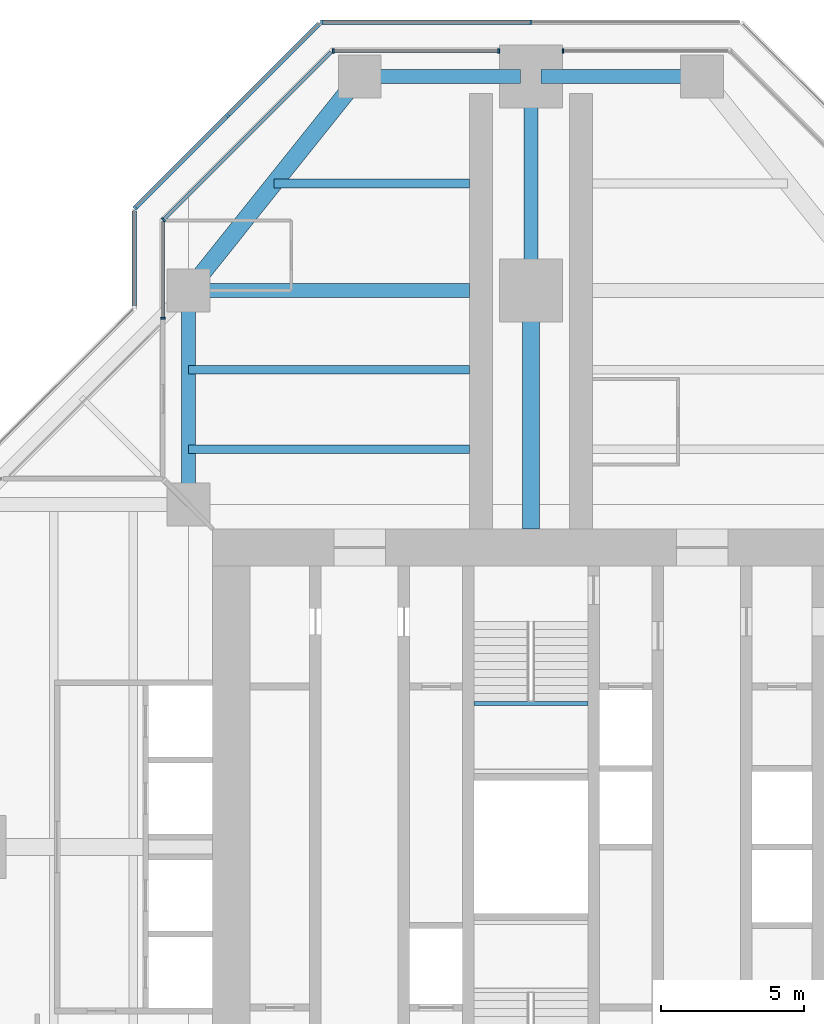
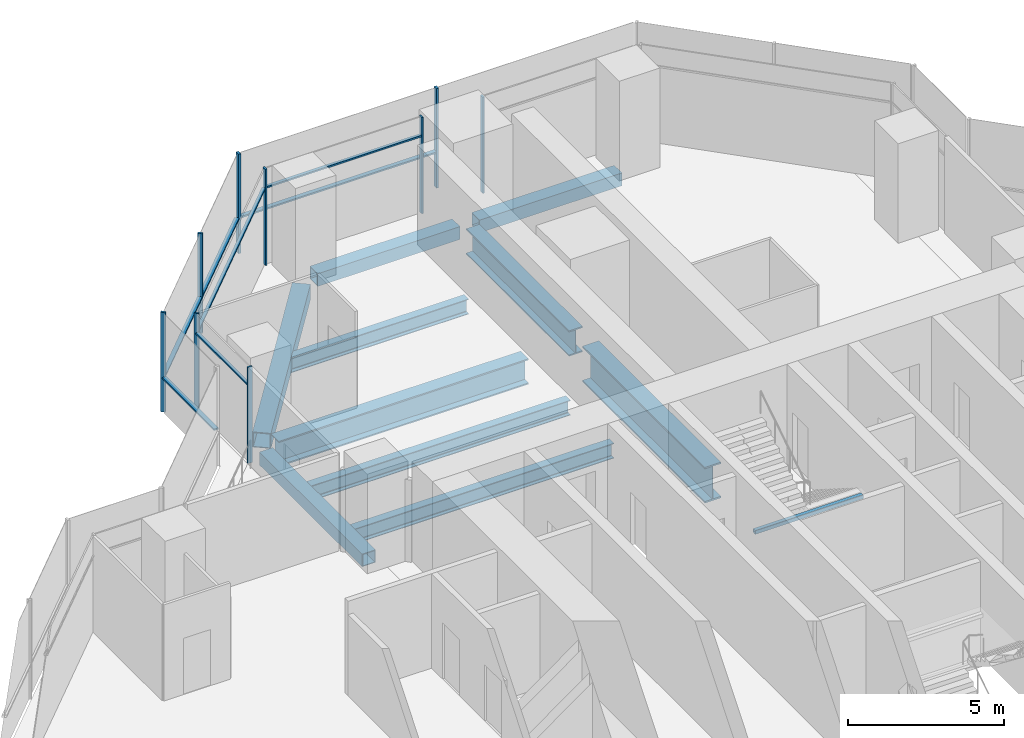
# One storey, part 7 of 17: 16 members, 11 beams, 7 elements without a shape of their own.
"""IFC4 building model written with IfcOpenShell, lengths in metres."""

from ifc_helpers import new_model, si_unit, direction, frame, origin, origin_2d, place, context, subcontext, project, spatial, rectangle, hollow_rectangle, i_section, extrude, material, material_profile, profile_set, type_object, element, aggregate, save


model = new_model("IFC4")

# Units and contexts
model_context = context("Model", 3, precision=1e-05, world=origin(), true_north=direction((0.0, 1.0)))
body_context = subcontext(model_context, "Body", "Model", "MODEL_VIEW")
ifc_project = project(units=[si_unit("LENGTHUNIT", "METRE"), si_unit("AREAUNIT", "SQUARE_METRE"), si_unit("VOLUMEUNIT", "CUBIC_METRE"), si_unit("PLANEANGLEUNIT", "RADIAN"), si_unit("MASSUNIT", "GRAM", prefix="KILO")], contexts=[model_context])

# Site, building, storey
site_placement = place(None, origin())
site = spatial("IfcSite", under=ifc_project, at=site_placement, CompositionType="ELEMENT")
building_placement = place(site_placement, origin())
building = spatial("IfcBuilding", under=site, at=building_placement, Name="Mizan Broadcast Tower", CompositionType="ELEMENT")
storey_placement = place(building_placement, frame((0.0, 0.0, 212.699951171875)))
storey = spatial("IfcBuildingStorey", under=building, at=storey_placement, Name="L49", CompositionType="ELEMENT", Elevation=212.699951171875)

# Beams
ifc_material_1 = material(Name="Steel S355", Category="steel")
ifc_material_profile_1 = material_profile(ifc_material_1, hollow_rectangle(XDim=0.5, YDim=0.5, WallThickness=0.030029296875, at=origin_2d()), Name="BOX 500x500x30")
ifc_profile_set_1 = profile_set([ifc_material_profile_1], Name="Steel S355")
beam_type_1 = type_object("IfcBeamType", Name="EDGE BEAM BOX 500x500x30", PredefinedType="SPANDREL", material=ifc_profile_set_1)
beam_1_placement = place(storey_placement, frame((5.639892578125, 27.0, -0.3798828125), z_axis=(-1.0, 0.0, 0.0), x_axis=(0.0, -1.0, 0.0)))
element("IfcBeam", 1, at=beam_1_placement, inside=storey, type_object=beam_type_1, Name="Edge beam BOX 500x500x30 L49 north arm", PredefinedType="SPANDREL", context=body_context, shape_type="SweptSolid", body=[
    extrude(hollow_rectangle(XDim=0.5, YDim=0.5, WallThickness=0.030029296875, at=origin_2d()), origin(), (0.0, 0.0, 1.0), 5.27978515625),
])
beam_2_placement = place(storey_placement, frame((-12.0, 12.449951171875, -0.3798828125), z_axis=(0.0, 1.0, 0.0), x_axis=(-1.0, 0.0, 0.0)))
element("IfcBeam", 2, at=beam_2_placement, inside=storey, type_object=beam_type_1, Name="Edge beam BOX 500x500x30 L49 north arm", PredefinedType="SPANDREL", context=body_context, shape_type="SweptSolid", body=[
    extrude(hollow_rectangle(XDim=0.5, YDim=0.5, WallThickness=0.030029296875, at=origin_2d()), origin(), (0.0, 0.0, 1.0), 6.60009765625),
])
beam_3_placement = place(storey_placement, frame((-5.639892578125, 27.0, -0.3798828125), z_axis=(1.0, 0.0, 0.0), x_axis=(0.0, 1.0, 0.0)))
element("IfcBeam", 3, at=beam_3_placement, inside=storey, type_object=beam_type_1, Name="Edge beam BOX 500x500x30 L49 north arm", PredefinedType="SPANDREL", context=body_context, shape_type="SweptSolid", body=[
    extrude(hollow_rectangle(XDim=0.5, YDim=0.5, WallThickness=0.030029296875, at=origin_2d()), origin(), (0.0, 0.0, 1.0), 5.27978515625),
])
ifc_material_2 = material(Name="Steel S355", Category="steel")
ifc_material_profile_2 = material_profile(ifc_material_2, hollow_rectangle(XDim=0.60009765625, YDim=0.60009765625, WallThickness=0.030029296875, at=origin_2d()), Name="BOX 600x600x30")
ifc_profile_set_2 = profile_set([ifc_material_profile_2], Name="Steel S355")
beam_type_2 = type_object("IfcBeamType", Name="EDGE BEAM BOX 600x600x30", PredefinedType="SPANDREL", material=ifc_profile_set_2)
beam_4_placement = place(storey_placement, frame((-11.639892578125, 19.949951171875, -0.429931640625), z_axis=(0.624673911726, 0.780885717636, 0.0), x_axis=(-0.780885717636, 0.624673911726, 0.0)))
element("IfcBeam", 4, at=beam_4_placement, inside=storey, type_object=beam_type_2, Name="Edge beam BOX 600x600x30 L49 north arm", PredefinedType="SPANDREL", context=body_context, shape_type="SweptSolid", body=[
    extrude(hollow_rectangle(XDim=0.60009765625, YDim=0.60009765625, WallThickness=0.030029296875, at=origin_2d()), origin(), (0.0, 0.0, 1.0), 8.4521484375),
])
ifc_material_3 = material(Name="Steel S460", Category="steel")
ifc_material_profile_3 = material_profile(ifc_material_3, i_section(OverallWidth=0.5, OverallDepth=1.0, WebThickness=0.02490234375, FlangeThickness=0.050048828125, at=origin_2d()), Name="WPG 1000x500")
ifc_profile_set_3 = profile_set([ifc_material_profile_3], Name="Steel S460")
beam_type_3 = type_object("IfcBeamType", Name="GIRDER WPG 1000x500", PredefinedType="BEAM", material=ifc_profile_set_3)
beam_5_placement = place(storey_placement, frame((0.0, 19.949951171875, -0.6298828125), z_axis=(0.0, 1.0, 0.0), x_axis=(-1.0, 0.0, 0.0)))
element("IfcBeam", 5, at=beam_5_placement, inside=storey, type_object=beam_type_3, Name="Girder WPG 1000x500 L49 north arm", PredefinedType="BEAM", context=body_context, shape_type="SweptSolid", body=[
    extrude(i_section(OverallWidth=0.5, OverallDepth=1.0, WebThickness=0.02490234375, FlangeThickness=0.050048828125, at=origin_2d()), origin(), (0.0, 0.0, 1.0), 6.60009765625),
])
beam_6_placement = place(storey_placement, frame((-11.408935546875, 19.5, -0.6298828125), z_axis=(1.0, 0.0, 0.0), x_axis=(0.0, 1.0, 0.0)))
element("IfcBeam", 6, at=beam_6_placement, inside=storey, type_object=beam_type_3, Name="Girder WPG 1000x500 L49 north arm", PredefinedType="BEAM", context=body_context, shape_type="SweptSolid", body=[
    extrude(i_section(OverallWidth=0.5, OverallDepth=1.0, WebThickness=0.02490234375, FlangeThickness=0.050048828125, at=origin_2d()), origin(), (0.0, 0.0, 1.0), 9.259033203125),
])
ifc_material_4 = material(Name="Steel S460", Category="steel")
ifc_material_profile_4 = material_profile(ifc_material_4, i_section(OverallWidth=0.60009765625, OverallDepth=1.39990234375, WebThickness=0.02490234375, FlangeThickness=0.06005859375, at=origin_2d()), Name="WPG 1400x600")
ifc_profile_set_4 = profile_set([ifc_material_profile_4], Name="Steel S460")
beam_type_4 = type_object("IfcBeamType", Name="GIRDER WPG 1400x600", PredefinedType="BEAM", material=ifc_profile_set_4)
beam_7_placement = place(storey_placement, frame((0.0, 11.14990234375, -0.829833984375), z_axis=(0.0, 1.0, 0.0), x_axis=(-1.0, 0.0, 0.0)))
element("IfcBeam", 7, at=beam_7_placement, inside=storey, type_object=beam_type_4, Name="Girder WPG 1400x600 L49 north arm", PredefinedType="BEAM", context=body_context, shape_type="SweptSolid", body=[
    extrude(i_section(OverallWidth=0.60009765625, OverallDepth=1.39990234375, WebThickness=0.02490234375, FlangeThickness=0.06005859375, at=origin_2d()), origin(), (0.0, 0.0, 1.0), 7.84912109375),
])

# Curtain wall, member
ifc_material_5 = material(Name="Aluminium framed glazing", Category="aluminium")
curtain_wall_type_1 = type_object("IfcCurtainWallType", Name="INNER SKIN HIGH ZONE", PredefinedType="USERDEFINED", material=ifc_material_5)
curtain_wall_1_placement = place(storey_placement, origin())
curtain_wall_1 = element("IfcCurtainWall", 8, at=curtain_wall_1_placement, inside=storey, type_object=curtain_wall_type_1, Name="Inner skin high zone L49 N end", ObjectType="INNER SKIN HIGH ZONE", PredefinedType="USERDEFINED")
ifc_material_6 = material(Name="Aluminium, pale anodised", Category="aluminium")
ifc_material_profile_5 = material_profile(ifc_material_6, rectangle(XDim=0.159912109375, YDim=0.06005859375, at=origin_2d()), Name="MULLION 160x60")
ifc_profile_set_5 = profile_set([ifc_material_profile_5], Name="Aluminium, pale anodised")
member_type_1 = type_object("IfcMemberType", Name="INNER SKIN MULLION 60x160", PredefinedType="MULLION", material=ifc_profile_set_5)
member_1_placement = place(storey_placement, frame((1.1298828125, 27.89990234375, 0.0), z_axis=(0.0, 0.0, 1.0), x_axis=(0.0, -1.0, 0.0)))
member_1 = element("IfcMember", 9, at=member_1_placement, type_object=member_type_1, Name="Inner skin high zone L49 N end mullion 2", PredefinedType="MULLION", context=body_context, shape_type="SweptSolid", body=[
    extrude(rectangle(XDim=0.159912109375, YDim=0.06005859375, at=origin_2d()), origin(), (0.0, 0.0, 1.0), 3.77001953125),
])
aggregate(curtain_wall_1, [member_1])

# Curtain wall, members
curtain_wall_2_placement = place(storey_placement, origin())
curtain_wall_2 = element("IfcCurtainWall", 10, at=curtain_wall_2_placement, inside=storey, type_object=curtain_wall_type_1, Name="Inner skin high zone L49 N end", ObjectType="INNER SKIN HIGH ZONE", PredefinedType="USERDEFINED")
member_2_placement = place(storey_placement, frame((-1.1298828125, 27.89990234375, 0.0), z_axis=(0.0, 0.0, 1.0), x_axis=(0.0, -1.0, 0.0)))
member_2 = element("IfcMember", 11, at=member_2_placement, type_object=member_type_1, Name="Inner skin high zone L49 N end mullion 1", PredefinedType="MULLION", context=body_context, shape_type="SweptSolid", body=[
    extrude(rectangle(XDim=0.159912109375, YDim=0.06005859375, at=origin_2d()), origin(), (0.0, 0.0, 1.0), 3.77001953125),
])
member_3_placement = place(storey_placement, frame((-6.928466796875, 27.89990234375, 0.0), z_axis=(0.0, 0.0, 1.0), x_axis=(0.0, -1.0, 0.0)))
member_3 = element("IfcMember", 12, at=member_3_placement, type_object=member_type_1, Name="Inner skin high zone L49 N end mullion 2", PredefinedType="MULLION", context=body_context, shape_type="SweptSolid", body=[
    extrude(rectangle(XDim=0.159912109375, YDim=0.06005859375, at=origin_2d()), origin(), (0.0, 0.0, 1.0), 3.77001953125),
])

# Curtain wall, member
curtain_wall_3_placement = place(storey_placement, origin())
curtain_wall_3 = element("IfcCurtainWall", 13, at=curtain_wall_3_placement, inside=storey, type_object=curtain_wall_type_1, Name="Inner skin high zone L49 N chamfer", ObjectType="INNER SKIN HIGH ZONE", PredefinedType="USERDEFINED")
member_4_placement = place(storey_placement, frame((-12.87890625, 21.979736328125, 0.0), z_axis=(0.0, 0.0, 1.0), x_axis=(0.707106781187, -0.707106781187, 0.0)))
member_4 = element("IfcMember", 14, at=member_4_placement, type_object=member_type_1, Name="Inner skin high zone L49 N chamfer mullion 2", PredefinedType="MULLION", context=body_context, shape_type="SweptSolid", body=[
    extrude(rectangle(XDim=0.159912109375, YDim=0.06005859375, at=origin_2d()), origin(), (0.0, 0.0, 1.0), 3.77001953125),
])

curtain_wall_4_placement = place(storey_placement, origin())
curtain_wall_4 = element("IfcCurtainWall", 15, at=curtain_wall_4_placement, inside=storey, type_object=curtain_wall_type_1, Name="Inner skin high zone L49 N side", ObjectType="INNER SKIN HIGH ZONE", PredefinedType="USERDEFINED")
member_5_placement = place(storey_placement, frame((-12.89990234375, 18.530029296875, 0.0), z_axis=(0.0, 0.0, 1.0), x_axis=(1.0, 0.0, 0.0)))
member_5 = element("IfcMember", 16, at=member_5_placement, type_object=member_type_1, Name="Inner skin high zone L49 N side mullion 2", PredefinedType="MULLION", context=body_context, shape_type="SweptSolid", body=[
    extrude(rectangle(XDim=0.159912109375, YDim=0.06005859375, at=origin_2d()), origin(), (0.0, 0.0, 1.0), 3.77001953125),
])

# Member
ifc_material_7 = material(Name="Aluminium, pale anodised", Category="aluminium")
ifc_material_profile_6 = material_profile(ifc_material_7, rectangle(XDim=0.1201171875, YDim=0.06005859375, at=origin_2d()), Name="TRANSOM 120x60")
ifc_profile_set_6 = profile_set([ifc_material_profile_6], Name="Aluminium, pale anodised")
member_type_2 = type_object("IfcMemberType", Name="INNER SKIN TRANSOM 60x120", PredefinedType="USERDEFINED", material=ifc_profile_set_6)
member_6_placement = place(storey_placement, frame((-1.159912109375, 27.89990234375, 3.030029296875), z_axis=(-1.0, 0.0, 0.0), x_axis=(0.0, -1.0, 0.0)))
member_6 = element("IfcMember", 17, at=member_6_placement, type_object=member_type_2, Name="Inner skin high zone L49 N end transom 1.1", ObjectType="TRANSOM", PredefinedType="USERDEFINED", context=body_context, shape_type="SweptSolid", body=[
    extrude(rectangle(XDim=0.1201171875, YDim=0.06005859375, at=origin_2d()), origin(), (0.0, 0.0, 1.0), 5.73876953125),
])

aggregate(curtain_wall_2, [member_2, member_3, member_6])

member_7_placement = place(storey_placement, frame((-7.0009765625, 27.857666015625, 3.030029296875), z_axis=(-0.707106781187, -0.707106781187, 0.0), x_axis=(0.707106781187, -0.707106781187, 0.0)))
member_7 = element("IfcMember", 18, at=member_7_placement, type_object=member_type_2, Name="Inner skin high zone L49 N chamfer transom 1.1", ObjectType="TRANSOM", PredefinedType="USERDEFINED", context=body_context, shape_type="SweptSolid", body=[
    extrude(rectangle(XDim=0.1201171875, YDim=0.06005859375, at=origin_2d()), origin(), (0.0, 0.0, 1.0), 8.28271484375),
])

aggregate(curtain_wall_3, [member_4, member_7])

member_8_placement = place(storey_placement, frame((-12.89990234375, 21.898681640625, 3.030029296875), z_axis=(0.0, -1.0, 0.0), x_axis=(1.0, 0.0, 0.0)))
member_8 = element("IfcMember", 19, at=member_8_placement, type_object=member_type_2, Name="Inner skin high zone L49 N side transom 1.1", ObjectType="TRANSOM", PredefinedType="USERDEFINED", context=body_context, shape_type="SweptSolid", body=[
    extrude(rectangle(XDim=0.1201171875, YDim=0.06005859375, at=origin_2d()), origin(), (0.0, 0.0, 1.0), 3.338623046875),
])

aggregate(curtain_wall_4, [member_5, member_8])

# Beam
ifc_material_8 = material(Name="Steel S355", Category="steel")
ifc_material_profile_7 = material_profile(ifc_material_8, hollow_rectangle(XDim=0.14990234375, YDim=0.14990234375, WallThickness=0.008056640625, InnerFilletRadius=0.008056640625, OuterFilletRadius=0.011962890625, at=origin_2d()), Name="SHS 150x150x8")
ifc_profile_set_7 = profile_set([ifc_material_profile_7], Name="Steel S355")
beam_type_5 = type_object("IfcBeamType", Name="LANDING TRIMMER SHS 150x150x8", PredefinedType="BEAM", material=ifc_profile_set_7)
beam_8_placement = place(storey_placement, frame((2.0, 5.02490234375, 1.675048828125), z_axis=(-1.0, 0.0, 0.0), x_axis=(0.0, -1.0, 0.0)))
element("IfcBeam", 20, at=beam_8_placement, inside=storey, type_object=beam_type_5, Name="Stair B landing trimmer L49", PredefinedType="BEAM", context=body_context, shape_type="SweptSolid", body=[
    extrude(hollow_rectangle(XDim=0.14990234375, YDim=0.14990234375, WallThickness=0.008056640625, InnerFilletRadius=0.008056640625, OuterFilletRadius=0.011962890625, at=origin_2d()), origin(), (0.0, 0.0, 1.0), 4.0),
])

# Curtain wall, members
ifc_material_9 = material(Name="Aluminium framed glazing", Category="aluminium")
curtain_wall_type_2 = type_object("IfcCurtainWallType", Name="OUTER SKIN", PredefinedType="USERDEFINED", material=ifc_material_9)
curtain_wall_5_placement = place(storey_placement, origin())
curtain_wall_5 = element("IfcCurtainWall", 21, at=curtain_wall_5_placement, inside=storey, type_object=curtain_wall_type_2, Name="Outer skin L49 N end", ObjectType="OUTER SKIN", PredefinedType="USERDEFINED")
ifc_material_10 = material(Name="Aluminium, pale anodised", Category="aluminium")
ifc_material_profile_8 = material_profile(ifc_material_10, rectangle(XDim=0.159912109375, YDim=0.080078125, at=origin_2d()), Name="MULLION 160x80")
ifc_profile_set_8 = profile_set([ifc_material_profile_8], Name="Aluminium, pale anodised")
member_type_3 = type_object("IfcMemberType", Name="OUTER SKIN MULLION 80x160", PredefinedType="MULLION", material=ifc_profile_set_8)
member_9_placement = place(storey_placement, frame((0.0, 28.89990234375, 0.0), z_axis=(0.0, 0.0, 1.0), x_axis=(0.0, -1.0, 0.0)))
member_9 = element("IfcMember", 22, at=member_9_placement, type_object=member_type_3, Name="Outer skin L49 N end mullion 2", PredefinedType="MULLION", context=body_context, shape_type="SweptSolid", body=[
    extrude(rectangle(XDim=0.159912109375, YDim=0.080078125, at=origin_2d()), origin(), (0.0, 0.0, 1.0), 3.900146484375),
])
member_10_placement = place(storey_placement, frame((-7.332763671875, 28.89990234375, 0.0), z_axis=(0.0, 0.0, 1.0), x_axis=(0.0, -1.0, 0.0)))
member_10 = element("IfcMember", 23, at=member_10_placement, type_object=member_type_3, Name="Outer skin L49 N end mullion 3", PredefinedType="MULLION", context=body_context, shape_type="SweptSolid", body=[
    extrude(rectangle(XDim=0.159912109375, YDim=0.080078125, at=origin_2d()), origin(), (0.0, 0.0, 1.0), 3.900146484375),
])

curtain_wall_6_placement = place(storey_placement, origin())
curtain_wall_6 = element("IfcCurtainWall", 24, at=curtain_wall_6_placement, inside=storey, type_object=curtain_wall_type_2, Name="Outer skin L49 N chamfer", ObjectType="OUTER SKIN", PredefinedType="USERDEFINED")
member_11_placement = place(storey_placement, frame((-10.636474609375, 25.636474609375, 0.0), z_axis=(0.0, 0.0, 1.0), x_axis=(0.707106781187, -0.707106781187, 0.0)))
member_11 = element("IfcMember", 25, at=member_11_placement, type_object=member_type_3, Name="Outer skin L49 N chamfer mullion 2", PredefinedType="MULLION", context=body_context, shape_type="SweptSolid", body=[
    extrude(rectangle(XDim=0.159912109375, YDim=0.080078125, at=origin_2d()), origin(), (0.0, 0.0, 1.0), 3.900146484375),
])
member_12_placement = place(storey_placement, frame((-13.871826171875, 22.401123046875, 0.0), z_axis=(0.0, 0.0, 1.0), x_axis=(0.707106781187, -0.707106781187, 0.0)))
member_12 = element("IfcMember", 26, at=member_12_placement, type_object=member_type_3, Name="Outer skin L49 N chamfer mullion 3", PredefinedType="MULLION", context=body_context, shape_type="SweptSolid", body=[
    extrude(rectangle(XDim=0.159912109375, YDim=0.080078125, at=origin_2d()), origin(), (0.0, 0.0, 1.0), 3.900146484375),
])

# Member
ifc_material_11 = material(Name="Aluminium, pale anodised", Category="aluminium")
ifc_material_profile_9 = material_profile(ifc_material_11, rectangle(XDim=0.159912109375, YDim=0.06005859375, at=origin_2d()), Name="TRANSOM 160x60")
ifc_profile_set_9 = profile_set([ifc_material_profile_9], Name="Aluminium, pale anodised")
member_type_4 = type_object("IfcMemberType", Name="OUTER SKIN TRANSOM 60x160", PredefinedType="USERDEFINED", material=ifc_profile_set_9)
member_13_placement = place(storey_placement, frame((-0.0400390625, 28.89990234375, 1.400146484375), z_axis=(-1.0, 0.0, 0.0), x_axis=(0.0, -1.0, 0.0)))
member_13 = element("IfcMember", 27, at=member_13_placement, type_object=member_type_4, Name="Outer skin L49 N end transom 2.1", ObjectType="TRANSOM", PredefinedType="USERDEFINED", context=body_context, shape_type="SweptSolid", body=[
    extrude(rectangle(XDim=0.159912109375, YDim=0.06005859375, at=origin_2d()), origin(), (0.0, 0.0, 1.0), 7.252685546875),
])

aggregate(curtain_wall_5, [member_9, member_10, member_13])

member_14_placement = place(storey_placement, frame((-7.429443359375, 28.843505859375, 1.400146484375), z_axis=(-0.707106781187, -0.707106781187, 0.0), x_axis=(0.707106781187, -0.707106781187, 0.0)))
member_14 = element("IfcMember", 28, at=member_14_placement, type_object=member_type_4, Name="Outer skin L49 N chamfer transom 1.1", ObjectType="TRANSOM", PredefinedType="USERDEFINED", context=body_context, shape_type="SweptSolid", body=[
    extrude(rectangle(XDim=0.159912109375, YDim=0.06005859375, at=origin_2d()), origin(), (0.0, 0.0, 1.0), 4.495361328125),
])

member_15_placement = place(storey_placement, frame((-10.664794921875, 25.608154296875, 1.400146484375), z_axis=(-0.707106781187, -0.707106781187, 0.0), x_axis=(0.707106781187, -0.707106781187, 0.0)))
member_15 = element("IfcMember", 29, at=member_15_placement, type_object=member_type_4, Name="Outer skin L49 N chamfer transom 2.1", ObjectType="TRANSOM", PredefinedType="USERDEFINED", context=body_context, shape_type="SweptSolid", body=[
    extrude(rectangle(XDim=0.159912109375, YDim=0.06005859375, at=origin_2d()), origin(), (0.0, 0.0, 1.0), 4.495361328125),
])

aggregate(curtain_wall_6, [member_11, member_12, member_14, member_15])

# Curtain wall, member
curtain_wall_7_placement = place(storey_placement, origin())
curtain_wall_7 = element("IfcCurtainWall", 30, at=curtain_wall_7_placement, inside=storey, type_object=curtain_wall_type_2, Name="Outer skin L49 N side", ObjectType="OUTER SKIN", PredefinedType="USERDEFINED")
member_16_placement = place(storey_placement, frame((-13.89990234375, 22.292724609375, 1.400146484375), z_axis=(0.0, -1.0, 0.0), x_axis=(1.0, 0.0, 0.0)))
member_16 = element("IfcMember", 31, at=member_16_placement, type_object=member_type_4, Name="Outer skin L49 N side transom 1.1", ObjectType="TRANSOM", PredefinedType="USERDEFINED", context=body_context, shape_type="SweptSolid", body=[
    extrude(rectangle(XDim=0.159912109375, YDim=0.06005859375, at=origin_2d()), origin(), (0.0, 0.0, 1.0), 3.33984375),
])
aggregate(curtain_wall_7, [member_16])

# Beams
ifc_material_12 = material(Name="Steel S355", Category="steel")
ifc_material_profile_10 = material_profile(ifc_material_12, i_section(OverallWidth=0.300048828125, OverallDepth=0.590087890625, WebThickness=0.012939453125, FlangeThickness=0.02490234375, FilletRadius=0.027099609375, at=origin_2d()), Name="HEA 600")
ifc_profile_set_10 = profile_set([ifc_material_profile_10], Name="Steel S355")
beam_type_6 = type_object("IfcBeamType", Name="SECONDARY BEAM HEA 600", PredefinedType="JOIST", material=ifc_profile_set_10)
for number, where, z_axis, x_axis, name in (
    (32, (-12.0, 13.933349609375, -0.425048828125), (1.0, 0.0, 0.0), (0.0, 1.0, 0.0), "Secondary beam HEA 600 L49 north arm"),
    (33, (-12.0, 16.716552734375, -0.425048828125), (1.0, 0.0, 0.0), (0.0, 1.0, 0.0), "Secondary beam HEA 600 L49 north arm"),
):
    element("IfcBeam", number, at=place(storey_placement, frame(where, z_axis=z_axis, x_axis=x_axis)), inside=storey, type_object=beam_type_6, Name=name, PredefinedType="JOIST", context=body_context, shape_type="SweptSolid", body=[
        extrude(i_section(OverallWidth=0.300048828125, OverallDepth=0.590087890625, WebThickness=0.012939453125, FlangeThickness=0.02490234375, FilletRadius=0.027099609375, at=origin_2d()), origin(), (0.0, 0.0, 1.0), 9.85009765625),
    ])
beam_9_placement = place(storey_placement, frame((-9.0, 23.25, -0.425048828125), z_axis=(1.0, 0.0, 0.0), x_axis=(0.0, 1.0, 0.0)))
element("IfcBeam", 34, at=beam_9_placement, inside=storey, type_object=beam_type_6, Name="Secondary beam HEA 600 L49 north arm", PredefinedType="JOIST", context=body_context, shape_type="SweptSolid", body=[
    extrude(i_section(OverallWidth=0.300048828125, OverallDepth=0.590087890625, WebThickness=0.012939453125, FlangeThickness=0.02490234375, FilletRadius=0.027099609375, at=origin_2d()), origin(), (0.0, 0.0, 1.0), 6.85009765625),
])

save(model, "model.ifc")
